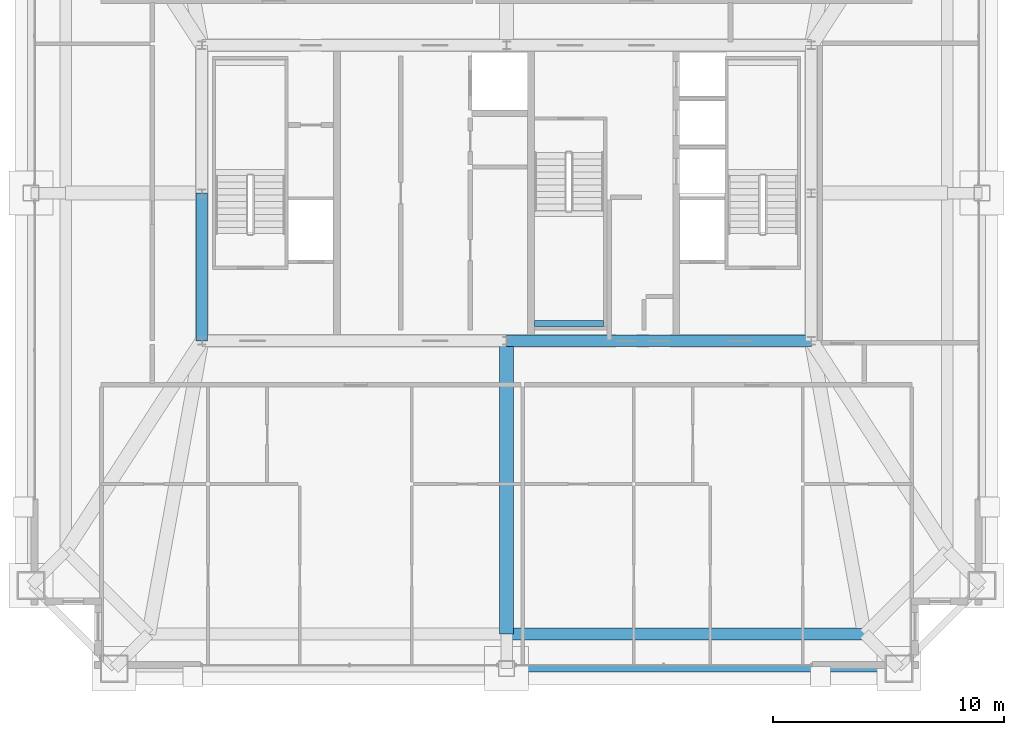
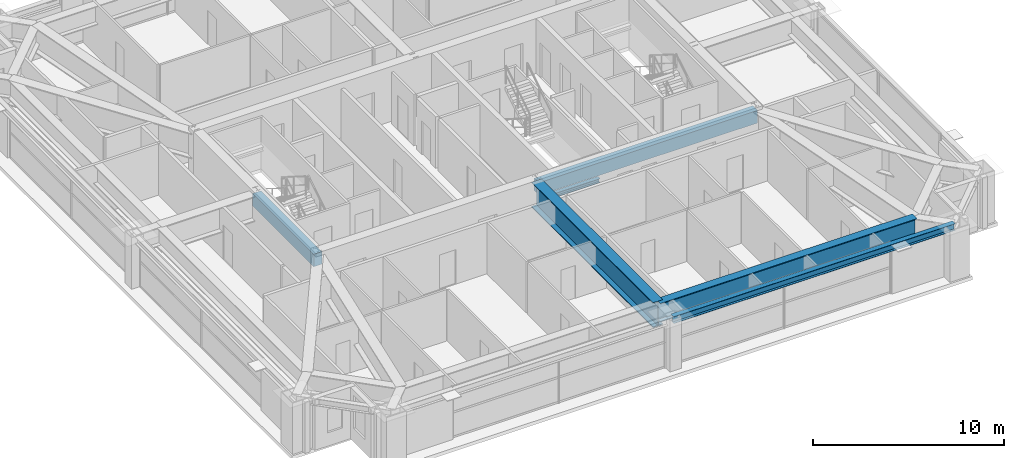
# One storey, part 11 of 33: 6 beams.
"""IFC4 building model written with IfcOpenShell, lengths in metres."""

from ifc_helpers import new_model, si_unit, direction, frame, origin, origin_2d, place, context, subcontext, project, spatial, rectangle, i_section, extrude, source, transform, mapped, material, material_profile, profile_set, type_object, element, save


model = new_model("IFC4")

# Units and contexts
model_context = context("Model", 3, precision=1e-05, world=origin(), true_north=direction((0.0, 1.0)))
body_context = subcontext(model_context, "Body", "Model", "MODEL_VIEW")
ifc_project = project(units=[si_unit("LENGTHUNIT", "METRE"), si_unit("AREAUNIT", "SQUARE_METRE"), si_unit("VOLUMEUNIT", "CUBIC_METRE"), si_unit("PLANEANGLEUNIT", "RADIAN"), si_unit("MASSUNIT", "GRAM", prefix="KILO"), si_unit("THERMODYNAMICTEMPERATUREUNIT", "KELVIN"), si_unit("POWERUNIT", "WATT")], contexts=[model_context])

# Site, building, storey
site_placement = place(None, origin())
site = spatial("IfcSite", under=ifc_project, at=site_placement, CompositionType="ELEMENT")
building_placement = place(site_placement, origin())
building = spatial("IfcBuilding", under=site, at=building_placement, Name="Yuzanri Waterfront Tower", CompositionType="ELEMENT")
storey_placement = place(building_placement, frame((0.0, 0.0, 282.10009765625)))
storey = spatial("IfcBuildingStorey", under=building, at=storey_placement, Name="L75", CompositionType="ELEMENT", Elevation=282.10009765625)

# Beams
ifc_material_1 = material(Name="Concrete C50", Category="concrete")
ifc_material_profile_1 = material_profile(ifc_material_1, rectangle(XDim=0.5, YDim=0.800048828125, at=origin_2d()), Name="RC 500x800")
ifc_profile_set_1 = profile_set([ifc_material_profile_1], Name="Concrete C50")
beam_type_1 = type_object("IfcBeamType", Name="Core Coupling Lintel Concrete C50 500x800", PredefinedType="LINTEL", material=ifc_profile_set_1)
shared_shape_1 = source(origin(), body_context, "Body", "SweptSolid", [
    extrude(rectangle(XDim=0.5, YDim=0.800048828125, at=origin_2d()), origin(), (0.0, 0.0, 1.0), 13.199951171875),
])
beam_1_placement = place(storey_placement, frame((37.0, 19.39990234375, 2.8798828125), z_axis=(1.0, 0.0, 0.0), x_axis=(0.0, 1.0, 0.0)))
element("IfcBeam", 1, at=beam_1_placement, inside=storey, type_object=beam_type_1, Name="L75 Core Tie Beam CS2", PredefinedType="LINTEL", context=body_context, shape_type="MappedRepresentation", body=[
    mapped(shared_shape_1, transform((0.0, 0.0, 0.0), scale=1.0)),
])
shared_shape_2 = source(origin(), body_context, "Body", "SweptSolid", [
    extrude(rectangle(XDim=0.5, YDim=0.800048828125, at=origin_2d()), origin(), (0.0, 0.0, 1.0), 6.400146484375),
])
beam_2_placement = place(storey_placement, frame((23.800048828125, 19.39990234375, 2.8798828125), z_axis=(0.0, 1.0, 0.0), x_axis=(-1.0, 0.0, 0.0)))
element("IfcBeam", 2, at=beam_2_placement, inside=storey, type_object=beam_type_1, Name="L75 Core Tie Beam CW1", PredefinedType="LINTEL", context=body_context, shape_type="MappedRepresentation", body=[
    mapped(shared_shape_2, transform((0.0, 0.0, 0.0), scale=1.0)),
])
ifc_material_2 = material(Name="Steel Q355B", Category="steel")
ifc_material_profile_2 = material_profile(ifc_material_2, i_section(OverallWidth=0.300048828125, OverallDepth=0.43994140625, WebThickness=0.010986328125, FlangeThickness=0.01806640625, at=origin_2d()), Name="HM 440x300x11x18")
ifc_profile_set_2 = profile_set([ifc_material_profile_2], Name="Steel Q355B")
beam_type_2 = type_object("IfcBeamType", Name="Perimeter Spandrel Q355B HM 440x300", PredefinedType="SPANDREL", material=ifc_profile_set_2)
shared_shape_3 = source(origin(), body_context, "Body", "SweptSolid", [
    extrude(i_section(OverallWidth=0.300048828125, OverallDepth=0.43994140625, WebThickness=0.010986328125, FlangeThickness=0.01806640625, at=origin_2d()), origin(), (0.0, 0.0, 1.0), 17.0),
])
beam_3_placement = place(storey_placement, frame((37.0, 5.199951171875, 3.059814453125), z_axis=(1.0, 0.0, 0.0), x_axis=(0.0, 1.0, 0.0)))
element("IfcBeam", 3, at=beam_3_placement, inside=storey, type_object=beam_type_2, Name="L75 Perimeter Spandrel S2-S3", PredefinedType="SPANDREL", context=body_context, shape_type="MappedRepresentation", body=[
    mapped(shared_shape_3, transform((0.0, 0.0, 0.0), scale=1.0)),
])
ifc_material_3 = material(Name="Steel Q420GJC", Category="steel")
ifc_material_profile_3 = material_profile(ifc_material_3, i_section(OverallWidth=0.60009765625, OverallDepth=1.60009765625, WebThickness=0.031982421875, FlangeThickness=0.06005859375, at=origin_2d()), Name="PG 1600x600x32x60")
ifc_profile_set_3 = profile_set([ifc_material_profile_3], Name="Steel Q420GJC")
beam_type_3 = type_object("IfcBeamType", Name="Ballroom Transfer Girder Q420GJC PG 1600x600", PredefinedType="USERDEFINED", material=ifc_profile_set_3)
shared_shape_4 = source(origin(), body_context, "Body", "SweptSolid", [
    extrude(i_section(OverallWidth=0.60009765625, OverallDepth=1.60009765625, WebThickness=0.031982421875, FlangeThickness=0.06005859375, at=origin_2d()), origin(), (0.0, 0.0, 1.0), 12.699951171875),
])
beam_4_placement = place(storey_placement, frame((37.0, 19.39990234375, 2.47998046875), z_axis=(0.0, -1.0, 0.0), x_axis=(1.0, 0.0, 0.0)))
element("IfcBeam", 4, at=beam_4_placement, inside=storey, type_object=beam_type_3, Name="L75 Setback Inner Transfer S2", ObjectType="GIRDER", PredefinedType="USERDEFINED", context=body_context, shape_type="MappedRepresentation", body=[
    mapped(shared_shape_4, transform((0.0, 0.0, 0.0), scale=1.0)),
])
ifc_material_4 = material(Name="Steel Q420GJC", Category="steel")
ifc_material_profile_4 = material_profile(ifc_material_4, i_section(OverallWidth=0.5, OverallDepth=1.199951171875, WebThickness=0.028076171875, FlangeThickness=0.050048828125, at=origin_2d()), Name="PG 1200x500x28x50")
ifc_profile_set_4 = profile_set([ifc_material_profile_4], Name="Steel Q420GJC")
beam_type_4 = type_object("IfcBeamType", Name="Setback Transfer Girder Q420GJC PG 1200x500", PredefinedType="USERDEFINED", material=ifc_profile_set_4)
shared_shape_5 = source(origin(), body_context, "Body", "SweptSolid", [
    extrude(i_section(OverallWidth=0.5, OverallDepth=1.199951171875, WebThickness=0.028076171875, FlangeThickness=0.050048828125, at=origin_2d()), origin(), (0.0, 0.0, 1.0), 15.5),
])
beam_5_placement = place(storey_placement, frame((37.0, 6.699951171875, 2.679931640625), z_axis=(1.0, 0.0, 0.0), x_axis=(0.0, 1.0, 0.0)))
element("IfcBeam", 5, at=beam_5_placement, inside=storey, type_object=beam_type_4, Name="L75 Setback Upper Ring S2-S3", ObjectType="GIRDER", PredefinedType="USERDEFINED", context=body_context, shape_type="MappedRepresentation", body=[
    mapped(shared_shape_5, transform((0.0, 0.0, 0.0), scale=1.0)),
])
ifc_material_5 = material(Name="Steel Q355B", Category="steel")
ifc_material_profile_5 = material_profile(ifc_material_5, i_section(OverallWidth=0.25, OverallDepth=0.25, WebThickness=0.009033203125, FlangeThickness=0.013916015625, at=origin_2d()), Name="HW 250x250x9x14")
ifc_profile_set_5 = profile_set([ifc_material_profile_5], Name="Steel Q355B")
beam_type_5 = type_object("IfcBeamType", Name="Stair Landing Support Beam Q355B HW 250x250", PredefinedType="BEAM", material=ifc_profile_set_5)
shared_shape_6 = source(origin(), body_context, "Body", "SweptSolid", [
    extrude(i_section(OverallWidth=0.25, OverallDepth=0.25, WebThickness=0.009033203125, FlangeThickness=0.013916015625, at=origin_2d()), origin(), (0.0, 0.0, 1.0), 3.0),
])
beam_6_placement = place(storey_placement, frame((38.199951171875, 20.14990234375, 1.4248046875), z_axis=(1.0, 0.0, 0.0), x_axis=(0.0, 1.0, 0.0)))
element("IfcBeam", 6, at=beam_6_placement, inside=storey, type_object=beam_type_5, Name="L75 Stair Landing Support Beam ST-03-L75-L1-1", PredefinedType="BEAM", context=body_context, shape_type="MappedRepresentation", body=[
    mapped(shared_shape_6, transform((0.0, 0.0, 0.0), scale=1.0)),
])

save(model, "model.ifc")
